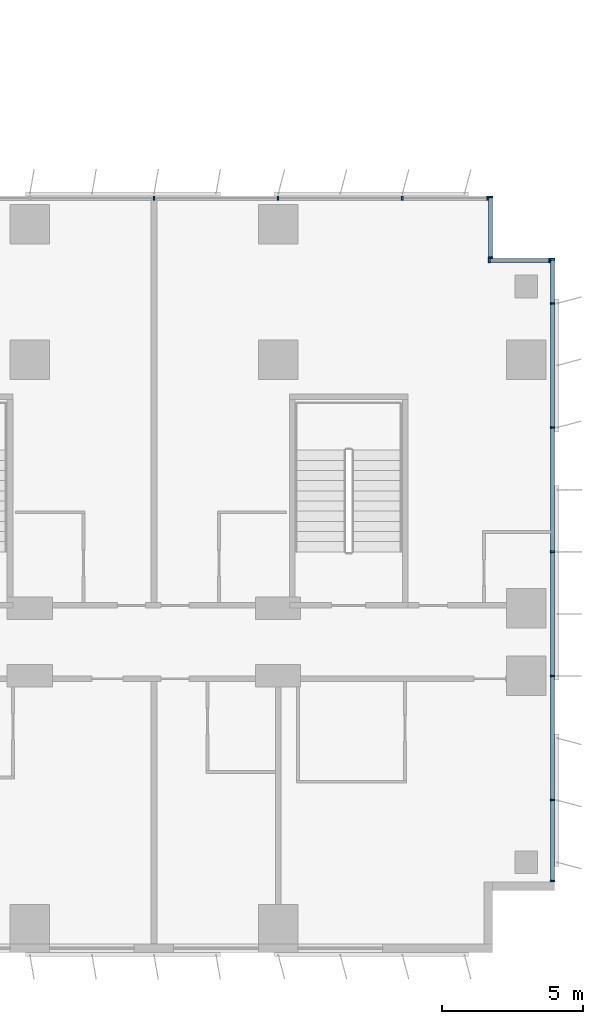
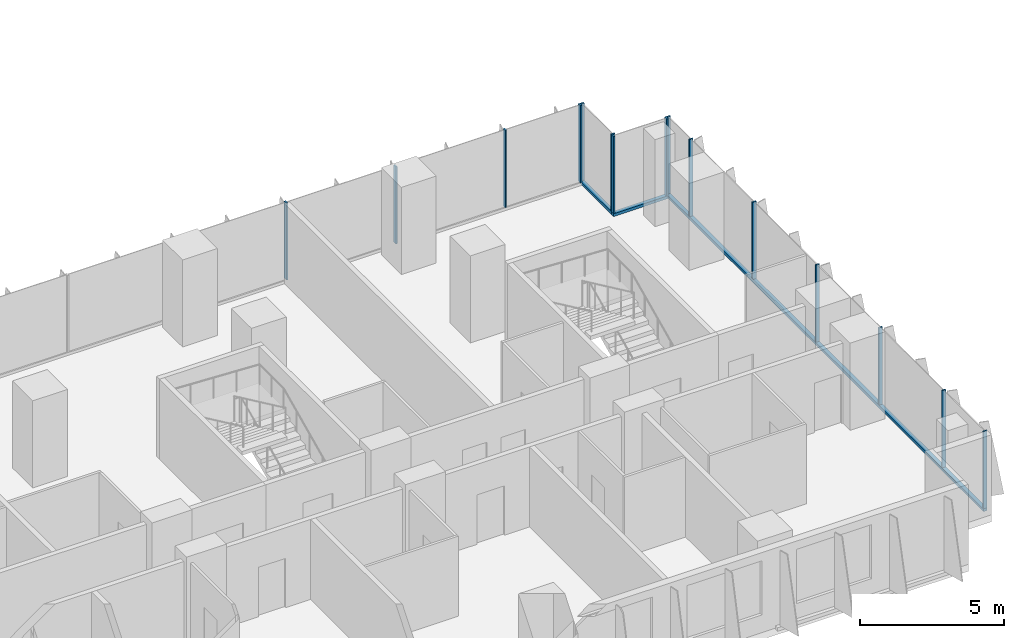
# One storey, part 8 of 24: 18 members, 4 elements without a shape of their own.
"""IFC4 building model written with IfcOpenShell, lengths in metres."""

from ifc_helpers import new_model, si_unit, direction, frame, origin, origin_2d, place, context, subcontext, project, spatial, rectangle, extrude, source, transform, mapped, material, material_profile, profile_set, type_object, element, aggregate, save


model = new_model("IFC4")

# Units and contexts
model_context = context("Model", 3, precision=1e-05, world=origin(), true_north=direction((0.0, 1.0)))
body_context = subcontext(model_context, "Body", "Model", "MODEL_VIEW")
ifc_project = project(units=[si_unit("LENGTHUNIT", "METRE"), si_unit("AREAUNIT", "SQUARE_METRE"), si_unit("VOLUMEUNIT", "CUBIC_METRE"), si_unit("PLANEANGLEUNIT", "RADIAN"), si_unit("MASSUNIT", "GRAM", prefix="KILO")], contexts=[model_context])

# Site, building, storey
site_placement = place(None, origin())
site = spatial("IfcSite", under=ifc_project, at=site_placement, CompositionType="ELEMENT")
building_placement = place(site_placement, origin())
building = spatial("IfcBuilding", under=site, at=building_placement, Name="Kemantara Hotel Tower", CompositionType="ELEMENT")
storey_placement = place(building_placement, frame((0.0, 0.0, 59.89990234375)))
storey = spatial("IfcBuildingStorey", under=building, at=storey_placement, Name="L13", CompositionType="ELEMENT", Elevation=59.89990234375)

# Curtain wall, member
ifc_material_1 = material(Name="Low-E tinted double insulated glass 36 mm", Category="glass")
curtain_wall_type = type_object("IfcCurtainWallType", Name="TOWER CURTAIN WALL, FRONT FACES", PredefinedType="USERDEFINED", material=ifc_material_1)
curtain_wall_1_placement = place(storey_placement, origin())
curtain_wall_1 = element("IfcCurtainWall", 1, at=curtain_wall_1_placement, inside=storey, type_object=curtain_wall_type, Name="CW4 L13 T1-R04-1", ObjectType="TOWER CURTAIN WALL, FRONT FACES", PredefinedType="USERDEFINED")
ifc_material_2 = material(Name="Aluminium 6063-T6 bronze anodised", Category="aluminium")
ifc_material_profile_1 = material_profile(ifc_material_2, rectangle(XDim=0.14990234375, YDim=0.1201171875, at=origin_2d()), Name="TOWER CURTAIN WALL, FRONT FACES TRANSOM")
ifc_profile_set_1 = profile_set([ifc_material_profile_1], Name="Aluminium 6063-T6 bronze anodised")
member_type_1 = type_object("IfcMemberType", Name="TOWER CURTAIN WALL, FRONT FACES TRANSOM", PredefinedType="USERDEFINED", material=ifc_profile_set_1)
member_1_placement = place(storey_placement, frame((81.125, 2.5, 0.06005859375), z_axis=(0.0, 1.0, 0.0), x_axis=(-1.0, 0.0, 0.0)))
member_1 = element("IfcMember", 2, at=member_1_placement, type_object=member_type_1, Name="CW4 sill transom T1-R04-1", ObjectType="TRANSOM", PredefinedType="USERDEFINED", context=body_context, shape_type="SweptSolid", body=[
    extrude(rectangle(XDim=0.14990234375, YDim=0.1201171875, at=origin_2d()), origin(), (0.0, 0.0, 1.0), 22.10009765625),
])

curtain_wall_2_placement = place(storey_placement, origin())
curtain_wall_2 = element("IfcCurtainWall", 3, at=curtain_wall_2_placement, inside=storey, type_object=curtain_wall_type, Name="CW4 L13 T1-R05-1", ObjectType="TOWER CURTAIN WALL, FRONT FACES", PredefinedType="USERDEFINED")
member_2_placement = place(storey_placement, frame((81.050048828125, 24.52490234375, 0.06005859375), z_axis=(-1.0, 0.0, 0.0), x_axis=(0.0, -1.0, 0.0)))
member_2 = element("IfcMember", 4, at=member_2_placement, type_object=member_type_1, Name="CW4 sill transom T1-R05-1", ObjectType="TRANSOM", PredefinedType="USERDEFINED", context=body_context, shape_type="SweptSolid", body=[
    extrude(rectangle(XDim=0.14990234375, YDim=0.1201171875, at=origin_2d()), origin(), (0.0, 0.0, 1.0), 2.199951171875),
])

curtain_wall_3_placement = place(storey_placement, origin())
curtain_wall_3 = element("IfcCurtainWall", 5, at=curtain_wall_3_placement, inside=storey, type_object=curtain_wall_type, Name="CW4 L13 T1-R06-1", ObjectType="TOWER CURTAIN WALL, FRONT FACES", PredefinedType="USERDEFINED")
member_3_placement = place(storey_placement, frame((78.925048828125, 24.60009765625, 0.06005859375), z_axis=(0.0, 1.0, 0.0), x_axis=(-1.0, 0.0, 0.0)))
member_3 = element("IfcMember", 6, at=member_3_placement, type_object=member_type_1, Name="CW4 sill transom T1-R06-1", ObjectType="TRANSOM", PredefinedType="USERDEFINED", context=body_context, shape_type="SweptSolid", body=[
    extrude(rectangle(XDim=0.14990234375, YDim=0.1201171875, at=origin_2d()), origin(), (0.0, 0.0, 1.0), 2.199951171875),
])

# Member
ifc_material_profile_2 = material_profile(ifc_material_2, rectangle(XDim=0.14990234375, YDim=0.06005859375, at=origin_2d()), Name="TOWER CURTAIN WALL, FRONT FACES MULLION")
ifc_profile_set_2 = profile_set([ifc_material_profile_2], Name="Aluminium 6063-T6 bronze anodised")
member_type_2 = type_object("IfcMemberType", Name="TOWER CURTAIN WALL, FRONT FACES MULLION", PredefinedType="MULLION", material=ifc_profile_set_2)
shared_shape = source(origin(), body_context, "Body", "SweptSolid", [
    extrude(rectangle(XDim=0.14990234375, YDim=0.06005859375, at=origin_2d()), origin(), (0.0, 0.0, 1.0), 3.280029296875),
])
member_4_placement = place(storey_placement, frame((81.125, 2.530029296875, 0.1201171875), z_axis=(0.0, 0.0, 1.0), x_axis=(-1.0, 0.0, 0.0)))
member_4 = element("IfcMember", 7, at=member_4_placement, type_object=member_type_2, Name="CW4 mullion T1-R04-1.1", PredefinedType="MULLION", context=body_context, shape_type="MappedRepresentation", body=[
    mapped(shared_shape, transform((0.0, 0.0, 0.0))),
])

member_5_placement = place(storey_placement, frame((81.125, 5.39990234375, 0.1201171875), z_axis=(0.0, 0.0, 1.0), x_axis=(-1.0, 0.0, 0.0)))
member_5 = element("IfcMember", 8, at=member_5_placement, type_object=member_type_2, Name="CW4 mullion T1-R04-1.2", PredefinedType="MULLION", context=body_context, shape_type="MappedRepresentation", body=[
    mapped(shared_shape, transform((0.0, 0.0, 0.0))),
])

member_6_placement = place(storey_placement, frame((81.125, 9.800048828125, 0.1201171875), z_axis=(0.0, 0.0, 1.0), x_axis=(-1.0, 0.0, 0.0)))
member_6 = element("IfcMember", 9, at=member_6_placement, type_object=member_type_2, Name="CW4 mullion T1-R04-1.3", PredefinedType="MULLION", context=body_context, shape_type="MappedRepresentation", body=[
    mapped(shared_shape, transform((0.0, 0.0, 0.0))),
])

member_7_placement = place(storey_placement, frame((81.125, 14.199951171875, 0.1201171875), z_axis=(0.0, 0.0, 1.0), x_axis=(-1.0, 0.0, 0.0)))
member_7 = element("IfcMember", 10, at=member_7_placement, type_object=member_type_2, Name="CW4 mullion T1-R04-1.4", PredefinedType="MULLION", context=body_context, shape_type="MappedRepresentation", body=[
    mapped(shared_shape, transform((0.0, 0.0, 0.0))),
])

member_8_placement = place(storey_placement, frame((81.125, 18.60009765625, 0.1201171875), z_axis=(0.0, 0.0, 1.0), x_axis=(-1.0, 0.0, 0.0)))
member_8 = element("IfcMember", 11, at=member_8_placement, type_object=member_type_2, Name="CW4 mullion T1-R04-1.5", PredefinedType="MULLION", context=body_context, shape_type="MappedRepresentation", body=[
    mapped(shared_shape, transform((0.0, 0.0, 0.0))),
])

member_9_placement = place(storey_placement, frame((81.125, 23.0, 0.1201171875), z_axis=(0.0, 0.0, 1.0), x_axis=(-1.0, 0.0, 0.0)))
member_9 = element("IfcMember", 12, at=member_9_placement, type_object=member_type_2, Name="CW4 mullion T1-R04-1.6", PredefinedType="MULLION", context=body_context, shape_type="MappedRepresentation", body=[
    mapped(shared_shape, transform((0.0, 0.0, 0.0))),
])

member_10_placement = place(storey_placement, frame((81.125, 24.570068359375, 0.1201171875), z_axis=(0.0, 0.0, 1.0), x_axis=(-1.0, 0.0, 0.0)))
member_10 = element("IfcMember", 13, at=member_10_placement, type_object=member_type_2, Name="CW4 mullion T1-R04-1.7", PredefinedType="MULLION", context=body_context, shape_type="MappedRepresentation", body=[
    mapped(shared_shape, transform((0.0, 0.0, 0.0))),
])

aggregate(curtain_wall_1, [member_1, member_4, member_5, member_6, member_7, member_8, member_9, member_10])

# Curtain wall, members
curtain_wall_4_placement = place(storey_placement, origin())
curtain_wall_4 = element("IfcCurtainWall", 14, at=curtain_wall_4_placement, inside=storey, type_object=curtain_wall_type, Name="CW4 L13 T1-R07-1", ObjectType="TOWER CURTAIN WALL, FRONT FACES", PredefinedType="USERDEFINED")
member_11_placement = place(storey_placement, frame((78.820068359375, 26.72509765625, 0.1201171875), z_axis=(0.0, 0.0, 1.0), x_axis=(0.0, -1.0, 0.0)))
member_11 = element("IfcMember", 15, at=member_11_placement, type_object=member_type_2, Name="CW4 mullion T1-R07-1.1", PredefinedType="MULLION", context=body_context, shape_type="MappedRepresentation", body=[
    mapped(shared_shape, transform((0.0, 0.0, 0.0))),
])
member_12_placement = place(storey_placement, frame((75.800048828125, 26.72509765625, 0.1201171875), z_axis=(0.0, 0.0, 1.0), x_axis=(0.0, -1.0, 0.0)))
member_12 = element("IfcMember", 16, at=member_12_placement, type_object=member_type_2, Name="CW4 mullion T1-R07-1.2", PredefinedType="MULLION", context=body_context, shape_type="MappedRepresentation", body=[
    mapped(shared_shape, transform((0.0, 0.0, 0.0))),
])
member_13_placement = place(storey_placement, frame((71.39990234375, 26.72509765625, 0.1201171875), z_axis=(0.0, 0.0, 1.0), x_axis=(0.0, -1.0, 0.0)))
member_13 = element("IfcMember", 17, at=member_13_placement, type_object=member_type_2, Name="CW4 mullion T1-R07-1.3", PredefinedType="MULLION", context=body_context, shape_type="MappedRepresentation", body=[
    mapped(shared_shape, transform((0.0, 0.0, 0.0))),
])
member_14_placement = place(storey_placement, frame((67.0, 26.72509765625, 0.1201171875), z_axis=(0.0, 0.0, 1.0), x_axis=(0.0, -1.0, 0.0)))
member_14 = element("IfcMember", 18, at=member_14_placement, type_object=member_type_2, Name="CW4 mullion T1-R07-1.4", PredefinedType="MULLION", context=body_context, shape_type="MappedRepresentation", body=[
    mapped(shared_shape, transform((0.0, 0.0, 0.0))),
])
aggregate(curtain_wall_4, [member_11, member_12, member_13, member_14])

# Member
member_15_placement = place(storey_placement, frame((81.02001953125, 24.52490234375, 0.1201171875), z_axis=(0.0, 0.0, 1.0), x_axis=(0.0, -1.0, 0.0)))
member_15 = element("IfcMember", 19, at=member_15_placement, type_object=member_type_2, Name="CW4 mullion T1-R05-1.1", PredefinedType="MULLION", context=body_context, shape_type="MappedRepresentation", body=[
    mapped(shared_shape, transform((0.0, 0.0, 0.0))),
])

member_16_placement = place(storey_placement, frame((78.8798828125, 24.52490234375, 0.1201171875), z_axis=(0.0, 0.0, 1.0), x_axis=(0.0, -1.0, 0.0)))
member_16 = element("IfcMember", 20, at=member_16_placement, type_object=member_type_2, Name="CW4 mullion T1-R05-1.2", PredefinedType="MULLION", context=body_context, shape_type="MappedRepresentation", body=[
    mapped(shared_shape, transform((0.0, 0.0, 0.0))),
])

aggregate(curtain_wall_2, [member_2, member_15, member_16])

member_17_placement = place(storey_placement, frame((78.925048828125, 24.6298828125, 0.1201171875), z_axis=(0.0, 0.0, 1.0), x_axis=(-1.0, 0.0, 0.0)))
member_17 = element("IfcMember", 21, at=member_17_placement, type_object=member_type_2, Name="CW4 mullion T1-R06-1.1", PredefinedType="MULLION", context=body_context, shape_type="MappedRepresentation", body=[
    mapped(shared_shape, transform((0.0, 0.0, 0.0))),
])

member_18_placement = place(storey_placement, frame((78.925048828125, 26.77001953125, 0.1201171875), z_axis=(0.0, 0.0, 1.0), x_axis=(-1.0, 0.0, 0.0)))
member_18 = element("IfcMember", 22, at=member_18_placement, type_object=member_type_2, Name="CW4 mullion T1-R06-1.2", PredefinedType="MULLION", context=body_context, shape_type="MappedRepresentation", body=[
    mapped(shared_shape, transform((0.0, 0.0, 0.0))),
])

aggregate(curtain_wall_3, [member_3, member_17, member_18])

save(model, "model.ifc")
